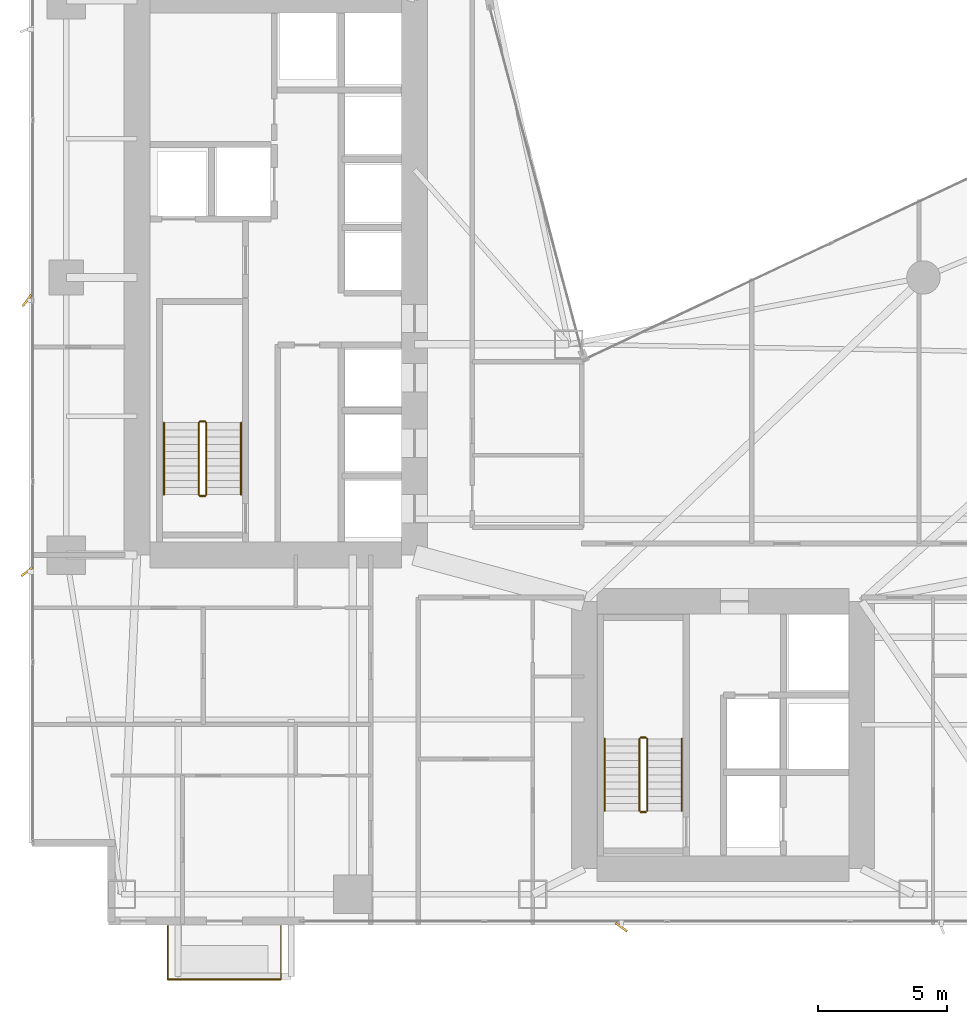
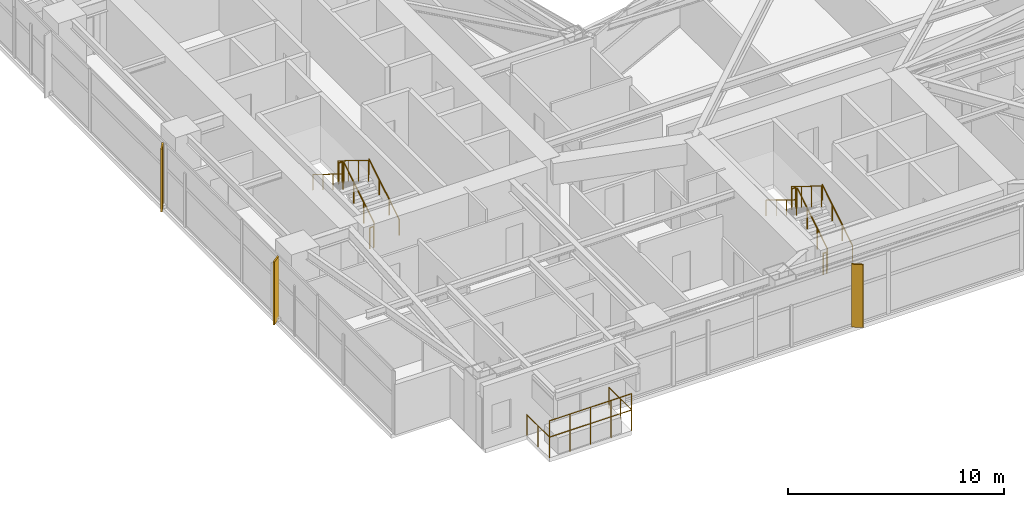
# One storey, part 28 of 30: 14 railings, 3 shading devices.
"""IFC4 building model written with IfcOpenShell, lengths in metres."""

from ifc_helpers import new_model, si_unit, direction, frame, origin, origin_2d, place, context, subcontext, project, spatial, rectangle, circle, extrude, material, type_object, element, save


model = new_model("IFC4")

# Units and contexts
model_context = context("Model", 3, precision=1e-05, world=origin(), true_north=direction((0.0, 1.0)))
body_context = subcontext(model_context, "Body", "Model", "MODEL_VIEW")
ifc_project = project(units=[si_unit("LENGTHUNIT", "METRE"), si_unit("AREAUNIT", "SQUARE_METRE"), si_unit("VOLUMEUNIT", "CUBIC_METRE"), si_unit("PLANEANGLEUNIT", "RADIAN"), si_unit("MASSUNIT", "GRAM", prefix="KILO")], contexts=[model_context])

# Site, building, storey
site_placement = place(None, origin())
site = spatial("IfcSite", under=ifc_project, at=site_placement, CompositionType="ELEMENT")
building_placement = place(site_placement, origin())
building = spatial("IfcBuilding", under=site, at=building_placement, Name="Calvorn Quay Hotel", CompositionType="ELEMENT")
storey_placement = place(building_placement, frame((0.0, 0.0, 77.39990234375)))
storey = spatial("IfcBuildingStorey", under=building, at=storey_placement, Name="L18", CompositionType="ELEMENT", Elevation=77.39990234375)

# Railings
ifc_material_1 = material(Name="Pale Anodised Aluminium and Laminated Glass", Category="aluminium")
railing_type_1 = type_object("IfcRailingType", Name="RLG-BALUSTRADE-1200", PredefinedType="BALUSTRADE", material=ifc_material_1)
railing_1_placement = place(storey_placement, frame((5.39990234375, 2.389892578125, 0.0)))
element("IfcRailing", 1, at=railing_1_placement, inside=storey, type_object=railing_type_1, Name="Tree Balcony Perimeter Balustrade L18-BALC-S", PredefinedType="BALUSTRADE", context=body_context, shape_type="SweptSolid", body=[
    extrude(circle(Radius=0.02392578125, at=origin_2d()), frame((0.0, 0.0, 1.17578125), z_axis=(0.0, -1.0, 0.0), x_axis=(1.0, 0.0, 0.0)), (0.0, 0.0, 1.0), 2.099853515625),
    extrude(circle(Radius=0.02392578125, at=origin_2d()), frame((0.0, -2.099853515625, 1.17578125), z_axis=(1.0, 0.0, 0.0), x_axis=(0.0, 1.0, 0.0)), (0.0, 0.0, 1.0), 4.400146484375),
    extrude(circle(Radius=0.02392578125, at=origin_2d()), frame((4.400146484375, -2.099853515625, 1.17578125), z_axis=(0.0, 1.0, 0.0), x_axis=(-1.0, 0.0, 0.0)), (0.0, 0.0, 1.0), 2.099853515625),
    extrude(circle(Radius=0.02099609375, at=origin_2d()), origin(), (0.0, 0.0, 1.0), 1.15185546875),
    extrude(circle(Radius=0.02099609375, at=origin_2d()), frame((0.0, -1.0498046875, 0.0)), (0.0, 0.0, 1.0), 1.15185546875),
    extrude(circle(Radius=0.02099609375, at=origin_2d()), frame((0.0, -2.099853515625, 0.0)), (0.0, 0.0, 1.0), 1.15185546875),
    extrude(circle(Radius=0.02099609375, at=origin_2d()), frame((1.10009765625, -2.099853515625, 0.0)), (0.0, 0.0, 1.0), 1.15185546875),
    extrude(circle(Radius=0.02099609375, at=origin_2d()), frame((2.2001953125, -2.099853515625, 0.0)), (0.0, 0.0, 1.0), 1.15185546875),
    extrude(circle(Radius=0.02099609375, at=origin_2d()), frame((3.300048828125, -2.099853515625, 0.0)), (0.0, 0.0, 1.0), 1.15185546875),
    extrude(circle(Radius=0.02099609375, at=origin_2d()), frame((4.400146484375, -2.099853515625, 0.0)), (0.0, 0.0, 1.0), 1.15185546875),
    extrude(circle(Radius=0.02099609375, at=origin_2d()), frame((4.400146484375, -1.0498046875, 0.0)), (0.0, 0.0, 1.0), 1.15185546875),
    extrude(circle(Radius=0.02099609375, at=origin_2d()), frame((4.400146484375, 0.0, 0.0)), (0.0, 0.0, 1.0), 1.15185546875),
])
railing_2_placement = place(storey_placement, frame((5.39990234375, 0.2900390625, 0.900146484375)))
element("IfcRailing", 2, at=railing_2_placement, inside=storey, type_object=railing_type_1, Name="Planter Kerb High Safety Screen L18-BALC-S", PredefinedType="BALUSTRADE", context=body_context, shape_type="SweptSolid", body=[
    extrude(circle(Radius=0.02392578125, at=origin_2d()), frame((0.0, 0.0, 1.19580078125), z_axis=(1.0, 0.0, 0.0), x_axis=(0.0, 1.0, 0.0)), (0.0, 0.0, 1.0), 4.400146484375),
    extrude(circle(Radius=0.02099609375, at=origin_2d()), origin(), (0.0, 0.0, 1.0), 1.171875),
    extrude(circle(Radius=0.02099609375, at=origin_2d()), frame((1.10009765625, 0.0, 0.0)), (0.0, 0.0, 1.0), 1.171875),
    extrude(circle(Radius=0.02099609375, at=origin_2d()), frame((2.2001953125, 0.0, 0.0)), (0.0, 0.0, 1.0), 1.171875),
    extrude(circle(Radius=0.02099609375, at=origin_2d()), frame((3.300048828125, 0.0, 0.0)), (0.0, 0.0, 1.0), 1.171875),
    extrude(circle(Radius=0.02099609375, at=origin_2d()), frame((4.400146484375, 0.0, 0.0)), (0.0, 0.0, 1.0), 1.171875),
])
ifc_material_2 = material(Name="Brushed Stainless Steel Handrail", Category="steel")
railing_type_2 = type_object("IfcRailingType", Name="RLG-HANDRAIL-900", PredefinedType="HANDRAIL", material=ifc_material_2)
railing_3_placement = place(storey_placement, frame((8.25, 19.14990234375, 0.1728515625)))
element("IfcRailing", 3, at=railing_3_placement, inside=storey, type_object=railing_type_2, Name="L18 ST-W stair handrail 1", PredefinedType="HANDRAIL", context=body_context, shape_type="SweptSolid", body=[
    extrude(circle(Radius=0.02392578125, at=origin_2d()), frame((0.0, 0.0, 0.8759765625), z_axis=(0.0, 0.851089632645, 0.525020415988), x_axis=(-1.0, 0.0, 0.0)), (0.0, 0.0, 1.0), 3.2900390625),
    extrude(circle(Radius=0.02099609375, at=origin_2d()), origin(), (0.0, 0.0, 1.0), 0.851806640625),
    extrude(circle(Radius=0.02099609375, at=origin_2d()), frame((0.0, 0.933349609375, 0.57568359375)), (0.0, 0.0, 1.0), 0.851806640625),
    extrude(circle(Radius=0.02099609375, at=origin_2d()), frame((0.0, 1.86669921875, 1.151611328125)), (0.0, 0.0, 1.0), 0.851806640625),
    extrude(circle(Radius=0.02099609375, at=origin_2d()), frame((0.0, 2.800048828125, 1.727294921875)), (0.0, 0.0, 1.0), 0.851806640625),
])
railing_4_placement = place(storey_placement, frame((5.25, 21.949951171875, 2.07275390625)))
element("IfcRailing", 4, at=railing_4_placement, inside=storey, type_object=railing_type_2, Name="L18 ST-W stair handrail 2", PredefinedType="HANDRAIL", context=body_context, shape_type="SweptSolid", body=[
    extrude(circle(Radius=0.02392578125, at=origin_2d()), frame((0.0, 0.0, 0.8759765625), z_axis=(0.0, -0.851089632645, 0.525020415988), x_axis=(1.0, 0.0, 0.0)), (0.0, 0.0, 1.0), 3.2900390625),
    extrude(circle(Radius=0.02099609375, at=origin_2d()), origin(), (0.0, 0.0, 1.0), 0.851806640625),
    extrude(circle(Radius=0.02099609375, at=origin_2d()), frame((0.0, -0.933349609375, 0.57568359375)), (0.0, 0.0, 1.0), 0.851806640625),
    extrude(circle(Radius=0.02099609375, at=origin_2d()), frame((0.0, -1.86669921875, 1.151611328125)), (0.0, 0.0, 1.0), 0.851806640625),
    extrude(circle(Radius=0.02099609375, at=origin_2d()), frame((0.0, -2.800048828125, 1.727294921875)), (0.0, 0.0, 1.0), 0.851806640625),
])
railing_5_placement = place(storey_placement, frame((25.39990234375, 6.85009765625, 0.1728515625)))
element("IfcRailing", 5, at=railing_5_placement, inside=storey, type_object=railing_type_2, Name="L18 ST-E stair handrail 1", PredefinedType="HANDRAIL", context=body_context, shape_type="SweptSolid", body=[
    extrude(circle(Radius=0.02392578125, at=origin_2d()), frame((0.0, 0.0, 0.8759765625), z_axis=(0.0, 0.851069175582, 0.525053576669), x_axis=(-1.0, 0.0, 0.0)), (0.0, 0.0, 1.0), 3.289794921875),
    extrude(circle(Radius=0.02099609375, at=origin_2d()), origin(), (0.0, 0.0, 1.0), 0.851806640625),
    extrude(circle(Radius=0.02099609375, at=origin_2d()), frame((0.0, 0.933349609375, 0.57568359375)), (0.0, 0.0, 1.0), 0.851806640625),
    extrude(circle(Radius=0.02099609375, at=origin_2d()), frame((0.0, 1.866455078125, 1.151611328125)), (0.0, 0.0, 1.0), 0.851806640625),
    extrude(circle(Radius=0.02099609375, at=origin_2d()), frame((0.0, 2.7998046875, 1.727294921875)), (0.0, 0.0, 1.0), 0.851806640625),
])
railing_6_placement = place(storey_placement, frame((22.39990234375, 9.64990234375, 2.07275390625)))
element("IfcRailing", 6, at=railing_6_placement, inside=storey, type_object=railing_type_2, Name="L18 ST-E stair handrail 2", PredefinedType="HANDRAIL", context=body_context, shape_type="SweptSolid", body=[
    extrude(circle(Radius=0.02392578125, at=origin_2d()), frame((0.0, 0.0, 0.8759765625), z_axis=(0.0, -0.851069175582, 0.525053576669), x_axis=(1.0, 0.0, 0.0)), (0.0, 0.0, 1.0), 3.289794921875),
    extrude(circle(Radius=0.02099609375, at=origin_2d()), origin(), (0.0, 0.0, 1.0), 0.851806640625),
    extrude(circle(Radius=0.02099609375, at=origin_2d()), frame((0.0, -0.933349609375, 0.57568359375)), (0.0, 0.0, 1.0), 0.851806640625),
    extrude(circle(Radius=0.02099609375, at=origin_2d()), frame((0.0, -1.866455078125, 1.151611328125)), (0.0, 0.0, 1.0), 0.851806640625),
    extrude(circle(Radius=0.02099609375, at=origin_2d()), frame((0.0, -2.7998046875, 1.727294921875)), (0.0, 0.0, 1.0), 0.851806640625),
])
ifc_material_3 = material(Name="Painted Galvanised Steel Balustrade", Category="steel")
railing_type_3 = type_object("IfcRailingType", Name="RLG-STAIR-GUARD-1120", PredefinedType="GUARDRAIL", material=ifc_material_3)
railing_7_placement = place(storey_placement, frame((6.89990234375, 19.14990234375, 0.1728515625)))
element("IfcRailing", 7, at=railing_7_placement, inside=storey, type_object=railing_type_3, Name="L18 ST-W stair guard 1", PredefinedType="GUARDRAIL", context=body_context, shape_type="SweptSolid", body=[
    extrude(circle(Radius=0.02392578125, at=origin_2d()), frame((0.0, 0.0, 1.17578125), z_axis=(0.0, 0.851089632645, 0.525020415988), x_axis=(-1.0, 0.0, 0.0)), (0.0, 0.0, 1.0), 3.2900390625),
    extrude(circle(Radius=0.02099609375, at=origin_2d()), origin(), (0.0, 0.0, 1.0), 1.15185546875),
    extrude(circle(Radius=0.02099609375, at=origin_2d()), frame((0.0, 0.933349609375, 0.57568359375)), (0.0, 0.0, 1.0), 1.15185546875),
    extrude(circle(Radius=0.02099609375, at=origin_2d()), frame((0.0, 1.86669921875, 1.151611328125)), (0.0, 0.0, 1.0), 1.15185546875),
    extrude(circle(Radius=0.02099609375, at=origin_2d()), frame((0.0, 2.800048828125, 1.727294921875)), (0.0, 0.0, 1.0), 1.15185546875),
])
railing_8_placement = place(storey_placement, frame((6.85009765625, 22.0, 1.900146484375)))
element("IfcRailing", 8, at=railing_8_placement, inside=storey, type_object=railing_type_3, Name="L18 ST-W stair guard 2", PredefinedType="GUARDRAIL", context=body_context, shape_type="SweptSolid", body=[
    extrude(circle(Radius=0.02392578125, at=origin_2d()), frame((0.0, 0.0, 1.17578125), z_axis=(-1.0, 0.0, 0.0), x_axis=(0.0, -1.0, 0.0)), (0.0, 0.0, 1.0), 0.2001953125),
    extrude(circle(Radius=0.02099609375, at=origin_2d()), origin(), (0.0, 0.0, 1.0), 1.15185546875),
    extrude(circle(Radius=0.02099609375, at=origin_2d()), frame((-0.2001953125, 0.0, 0.0)), (0.0, 0.0, 1.0), 1.15185546875),
])
railing_9_placement = place(storey_placement, frame((6.60009765625, 21.949951171875, 2.07275390625)))
element("IfcRailing", 9, at=railing_9_placement, inside=storey, type_object=railing_type_3, Name="L18 ST-W stair guard 3", PredefinedType="GUARDRAIL", context=body_context, shape_type="SweptSolid", body=[
    extrude(circle(Radius=0.02392578125, at=origin_2d()), frame((0.0, 0.0, 1.17578125), z_axis=(0.0, -0.851089632645, 0.525020415988), x_axis=(1.0, 0.0, 0.0)), (0.0, 0.0, 1.0), 3.2900390625),
    extrude(circle(Radius=0.02099609375, at=origin_2d()), origin(), (0.0, 0.0, 1.0), 1.15185546875),
    extrude(circle(Radius=0.02099609375, at=origin_2d()), frame((0.0, -0.933349609375, 0.57568359375)), (0.0, 0.0, 1.0), 1.15185546875),
    extrude(circle(Radius=0.02099609375, at=origin_2d()), frame((0.0, -1.86669921875, 1.151611328125)), (0.0, 0.0, 1.0), 1.15185546875),
    extrude(circle(Radius=0.02099609375, at=origin_2d()), frame((0.0, -2.800048828125, 1.727294921875)), (0.0, 0.0, 1.0), 1.15185546875),
])
railing_10_placement = place(storey_placement, frame((6.85009765625, 19.10009765625, 0.0)))
element("IfcRailing", 10, at=railing_10_placement, inside=storey, type_object=railing_type_3, Name="L18 ST-W stair guard 4", PredefinedType="GUARDRAIL", context=body_context, shape_type="SweptSolid", body=[
    extrude(circle(Radius=0.02392578125, at=origin_2d()), frame((0.0, 0.0, 1.17578125), z_axis=(-1.0, 0.0, 0.0), x_axis=(0.0, -1.0, 0.0)), (0.0, 0.0, 1.0), 0.2001953125),
    extrude(circle(Radius=0.02099609375, at=origin_2d()), origin(), (0.0, 0.0, 1.0), 1.15185546875),
    extrude(circle(Radius=0.02099609375, at=origin_2d()), frame((-0.2001953125, 0.0, 0.0)), (0.0, 0.0, 1.0), 1.15185546875),
])
railing_11_placement = place(storey_placement, frame((24.050048828125, 6.85009765625, 0.1728515625)))
element("IfcRailing", 11, at=railing_11_placement, inside=storey, type_object=railing_type_3, Name="L18 ST-E stair guard 1", PredefinedType="GUARDRAIL", context=body_context, shape_type="SweptSolid", body=[
    extrude(circle(Radius=0.02392578125, at=origin_2d()), frame((0.0, 0.0, 1.17578125), z_axis=(0.0, 0.851069175582, 0.525053576669), x_axis=(-1.0, 0.0, 0.0)), (0.0, 0.0, 1.0), 3.289794921875),
    extrude(circle(Radius=0.02099609375, at=origin_2d()), origin(), (0.0, 0.0, 1.0), 1.15185546875),
    extrude(circle(Radius=0.02099609375, at=origin_2d()), frame((0.0, 0.933349609375, 0.57568359375)), (0.0, 0.0, 1.0), 1.15185546875),
    extrude(circle(Radius=0.02099609375, at=origin_2d()), frame((0.0, 1.866455078125, 1.151611328125)), (0.0, 0.0, 1.0), 1.15185546875),
    extrude(circle(Radius=0.02099609375, at=origin_2d()), frame((0.0, 2.7998046875, 1.727294921875)), (0.0, 0.0, 1.0), 1.15185546875),
])
railing_12_placement = place(storey_placement, frame((24.0, 9.699951171875, 1.900146484375)))
element("IfcRailing", 12, at=railing_12_placement, inside=storey, type_object=railing_type_3, Name="L18 ST-E stair guard 2", PredefinedType="GUARDRAIL", context=body_context, shape_type="SweptSolid", body=[
    extrude(circle(Radius=0.02392578125, at=origin_2d()), frame((0.0, 0.0, 1.17578125), z_axis=(-1.0, 0.0, 0.0), x_axis=(0.0, -1.0, 0.0)), (0.0, 0.0, 1.0), 0.199951171875),
    extrude(circle(Radius=0.02099609375, at=origin_2d()), origin(), (0.0, 0.0, 1.0), 1.15185546875),
    extrude(circle(Radius=0.02099609375, at=origin_2d()), frame((-0.199951171875, 0.0, 0.0)), (0.0, 0.0, 1.0), 1.15185546875),
])
railing_13_placement = place(storey_placement, frame((23.75, 9.64990234375, 2.07275390625)))
element("IfcRailing", 13, at=railing_13_placement, inside=storey, type_object=railing_type_3, Name="L18 ST-E stair guard 3", PredefinedType="GUARDRAIL", context=body_context, shape_type="SweptSolid", body=[
    extrude(circle(Radius=0.02392578125, at=origin_2d()), frame((0.0, 0.0, 1.17578125), z_axis=(0.0, -0.851069175582, 0.525053576669), x_axis=(1.0, 0.0, 0.0)), (0.0, 0.0, 1.0), 3.289794921875),
    extrude(circle(Radius=0.02099609375, at=origin_2d()), origin(), (0.0, 0.0, 1.0), 1.15185546875),
    extrude(circle(Radius=0.02099609375, at=origin_2d()), frame((0.0, -0.933349609375, 0.57568359375)), (0.0, 0.0, 1.0), 1.15185546875),
    extrude(circle(Radius=0.02099609375, at=origin_2d()), frame((0.0, -1.866455078125, 1.151611328125)), (0.0, 0.0, 1.0), 1.15185546875),
    extrude(circle(Radius=0.02099609375, at=origin_2d()), frame((0.0, -2.7998046875, 1.727294921875)), (0.0, 0.0, 1.0), 1.15185546875),
])
railing_14_placement = place(storey_placement, frame((24.0, 6.800048828125, 0.0)))
element("IfcRailing", 14, at=railing_14_placement, inside=storey, type_object=railing_type_3, Name="L18 ST-E stair guard 4", PredefinedType="GUARDRAIL", context=body_context, shape_type="SweptSolid", body=[
    extrude(circle(Radius=0.02392578125, at=origin_2d()), frame((0.0, 0.0, 1.17578125), z_axis=(-1.0, 0.0, 0.0), x_axis=(0.0, -1.0, 0.0)), (0.0, 0.0, 1.0), 0.199951171875),
    extrude(circle(Radius=0.02099609375, at=origin_2d()), origin(), (0.0, 0.0, 1.0), 1.15185546875),
    extrude(circle(Radius=0.02099609375, at=origin_2d()), frame((-0.199951171875, 0.0, 0.0)), (0.0, 0.0, 1.0), 1.15185546875),
])

# Shading devices
ifc_material_4 = material(Name="Champagne Bronze Anodised Aluminium 6063-T6", Category="aluminium")
shading_device_type_1 = type_object("IfcShadingDeviceType", Name="SHD-FIN-A2", PredefinedType="USERDEFINED", material=ifc_material_4)
shading_device_placement = place(storey_placement, frame((-0.080078125, 16.14990234375, 0.0), z_axis=(0.0, 0.0, 1.0), x_axis=(0.788010753607, 0.615661475326, 0.0)))
element("IfcShadingDevice", 15, at=shading_device_placement, inside=storey, type_object=shading_device_type_1, Name="Diagonal Sun-Shading Fin L18-W01", ObjectType="FIN", PredefinedType="USERDEFINED", context=body_context, shape_type="SweptSolid", body=[
    extrude(rectangle(XDim=0.550048828125, YDim=0.080078125, at=origin_2d()), origin(), (0.0, 0.0, 1.0), 3.56005859375),
])
ifc_material_5 = material(Name="Champagne Bronze Anodised Aluminium 6063-T6", Category="aluminium")
shading_device_type_2 = type_object("IfcShadingDeviceType", Name="SHD-FIN-A3", PredefinedType="USERDEFINED", material=ifc_material_5)
for number, where, z_axis, x_axis, name in (
    (16, (-0.080078125, 26.699951171875, 0.0), (0.0, 0.0, 1.0), (0.587785252292, 0.809016994375, 0.0), "Diagonal Sun-Shading Fin L18-W02"),
    (17, (23.050048828125, 2.320068359375, 0.0), (0.0, 0.0, 1.0), (-0.809016994375, 0.587785252292, 0.0), "Diagonal Sun-Shading Fin L18-S01"),
):
    element("IfcShadingDevice", number, at=place(storey_placement, frame(where, z_axis=z_axis, x_axis=x_axis)), inside=storey, type_object=shading_device_type_2, Name=name, ObjectType="FIN", PredefinedType="USERDEFINED", context=body_context, shape_type="SweptSolid", body=[
        extrude(rectangle(XDim=0.550048828125, YDim=0.080078125, at=origin_2d()), origin(), (0.0, 0.0, 1.0), 3.56005859375),
    ])

save(model, "model.ifc")
